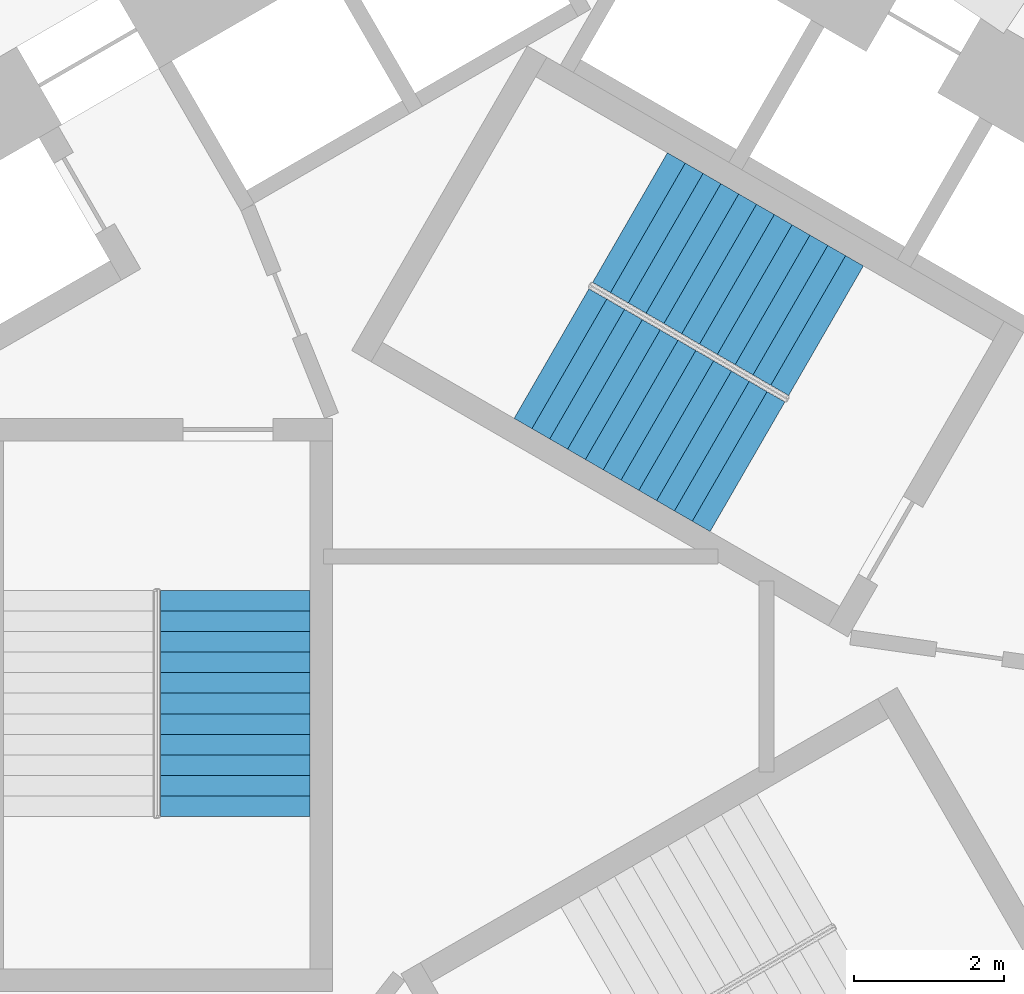
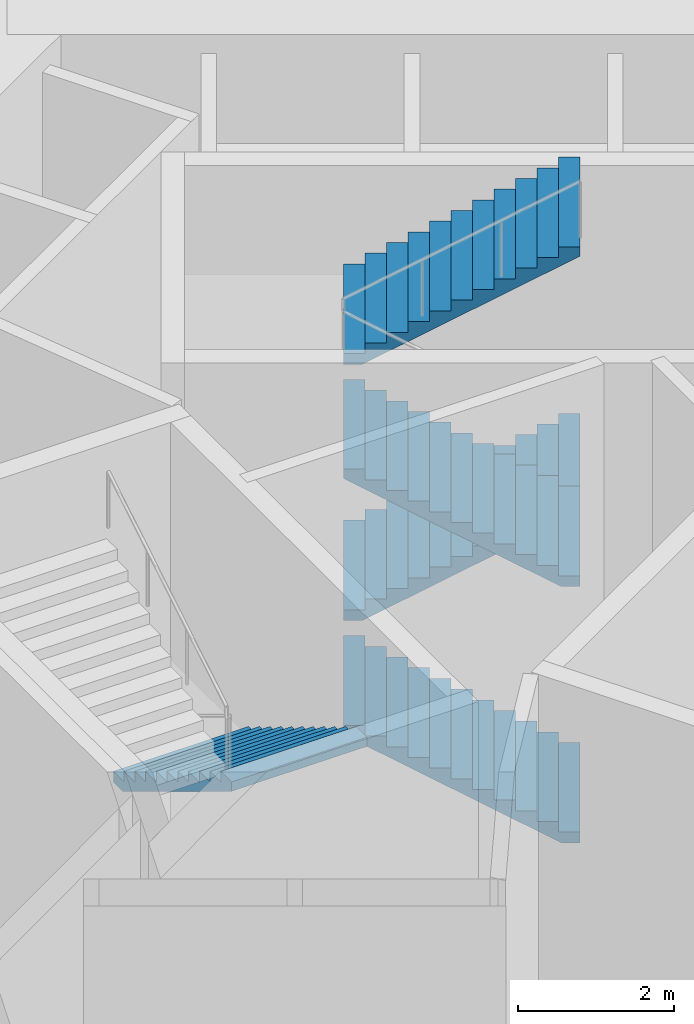
# One storey, part 13 of 15: 5 stair flights, 2 elements without a shape of their own.
"""IFC4 building model written with IfcOpenShell, lengths in metres."""

from ifc_helpers import new_model, si_unit, direction, frame, origin, place, context, subcontext, project, spatial, triangles, source, transform, mapped, material, type_object, element, aggregate, save


model = new_model("IFC4")

# Units and contexts
model_context = context("Model", 3, precision=1e-05, world=origin(), true_north=direction((0.0, 1.0)))
body_context = subcontext(model_context, "Body", "Model", "MODEL_VIEW")
ifc_project = project(units=[si_unit("LENGTHUNIT", "METRE"), si_unit("AREAUNIT", "SQUARE_METRE"), si_unit("VOLUMEUNIT", "CUBIC_METRE"), si_unit("PLANEANGLEUNIT", "RADIAN"), si_unit("MASSUNIT", "GRAM", prefix="KILO")], contexts=[model_context])

# Site, building, storey
site_placement = place(None, origin())
site = spatial("IfcSite", under=ifc_project, at=site_placement, CompositionType="ELEMENT")
building_placement = place(site_placement, origin())
building = spatial("IfcBuilding", under=site, at=building_placement, Name="Vanh Sen Convention Tower", CompositionType="ELEMENT")
storey_placement = place(building_placement, frame((0.0, 0.0, 13.0)))
storey = spatial("IfcBuildingStorey", under=building, at=storey_placement, Name="L02", CompositionType="ELEMENT", Elevation=13.0)

# Stair, stair flights
ifc_material_1 = material(Name="Concrete C50/60", Category="concrete")
stair_type_1 = type_object("IfcStairType", Name="Exit stair ST1 48 risers at 166.7", PredefinedType="HALF_TURN_STAIR", material=ifc_material_1)
stair_1_placement = place(storey_placement, origin())
stair_1 = element("IfcStair", 1, at=stair_1_placement, inside=storey, type_object=stair_type_1, Name="Exit stair ST1 L02", PredefinedType="HALF_TURN_STAIR")
ifc_material_2 = material(Name="Concrete C40/50", Category="concrete")
stair_flight_type = type_object("IfcStairFlightType", Name="Stair flight 2000", PredefinedType="STRAIGHT", material=ifc_material_2)
shared_shape = source(origin(), body_context, "Body", "Tessellation", [
    triangles([(0.2412109375, 1.0, 0.0), (0.0, 1.0, 0.0), (0.0, 1.0, 0.166748046875), (0.27490234375, 1.0, 0.166748046875), (0.27490234375, 1.0, 0.333251953125), (0.550048828125, 1.0, 0.333251953125), (0.550048828125, 1.0, 0.5), (0.824951171875, 1.0, 0.5), (0.824951171875, 1.0, 0.666748046875), (1.10009765625, 1.0, 0.666748046875), (1.10009765625, 1.0, 0.833251953125), (1.375, 1.0, 0.833251953125), (1.375, 1.0, 1.0), (1.64990234375, 1.0, 1.0), (1.64990234375, 1.0, 1.166748046875), (1.925048828125, 1.0, 1.166748046875), (1.925048828125, 1.0, 1.333251953125), (2.199951171875, 1.0, 1.333251953125), (2.199951171875, 1.0, 1.5), (2.47509765625, 1.0, 1.5), (2.47509765625, 1.0, 1.666748046875), (2.75, 1.0, 1.666748046875), (2.75, 1.0, 1.833251953125), (3.02490234375, 1.0, 1.833251953125), (3.02490234375, 1.0, 1.687255859375), (0.2412109375, -1.0, 0.0), (0.0, -1.0, 0.0), (0.0, -1.0, 0.166748046875), (0.27490234375, -1.0, 0.166748046875), (0.27490234375, -1.0, 0.333251953125), (0.550048828125, -1.0, 0.333251953125), (0.550048828125, -1.0, 0.5), (0.824951171875, -1.0, 0.5), (0.824951171875, -1.0, 0.666748046875), (1.10009765625, -1.0, 0.666748046875), (1.10009765625, -1.0, 0.833251953125), (1.375, -1.0, 0.833251953125), (1.375, -1.0, 1.0), (1.64990234375, -1.0, 1.0), (1.64990234375, -1.0, 1.166748046875), (1.925048828125, -1.0, 1.166748046875), (1.925048828125, -1.0, 1.333251953125), (2.199951171875, -1.0, 1.333251953125), (2.199951171875, -1.0, 1.5), (2.47509765625, -1.0, 1.5), (2.47509765625, -1.0, 1.666748046875), (2.75, -1.0, 1.666748046875), (2.75, -1.0, 1.833251953125), (3.02490234375, -1.0, 1.833251953125), (3.02490234375, -1.0, 1.687255859375), (0.0, 0.0400390625, 0.0), (0.0, 0.0390625, 0.0), (0.0, 0.0380859375, 0.0), (0.0, 0.037109375, 0.0), (0.0, 0.035888671875, 0.0), (0.0, 0.034912109375, 0.0), (0.0, 0.033935546875, 0.0), (0.0, 0.032958984375, 0.0), (0.0, 0.031982421875, 0.0), (0.0, 0.031005859375, 0.0), (0.0, 0.030029296875, 0.0), (0.0, 0.029052734375, 0.0), (0.0, 0.028076171875, 0.0), (0.0, 0.027099609375, 0.0), (0.0, 0.02587890625, 0.0), (0.0, 0.02490234375, 0.0), (0.0, 0.02392578125, 0.0), (0.0, 0.02294921875, 0.0), (0.0, 0.02197265625, 0.0), (0.0, 0.02099609375, 0.0), (0.0, 0.02001953125, 0.0), (0.0, 0.01904296875, 0.0), (0.0, 0.01806640625, 0.0), (0.0, 0.01708984375, 0.0), (0.0, 0.01611328125, 0.0), (0.0, 0.014892578125, 0.0), (0.0, 0.013916015625, 0.0), (0.0, 0.012939453125, 0.0), (0.0, 0.011962890625, 0.0), (0.0, 0.010986328125, 0.0), (0.0, 0.010009765625, 0.0), (0.0, 0.009033203125, 0.0), (0.0, 0.008056640625, 0.0), (0.0, 0.007080078125, 0.0), (0.0, 0.006103515625, 0.0), (0.0, 0.0048828125, 0.0), (0.0, 0.00390625, 0.0), (0.0, 0.0029296875, 0.0), (0.0, 0.001953125, 0.0), (0.0, 0.0009765625, 0.0), (0.0, 0.0, 0.0), (0.0, -0.0009765625, 0.0), (0.0, -0.001953125, 0.0), (0.0, -0.0029296875, 0.0), (0.0, -0.00390625, 0.0), (0.0, -0.0048828125, 0.0), (0.0, -0.006103515625, 0.0), (0.0, -0.007080078125, 0.0), (0.0, -0.008056640625, 0.0), (0.0, -0.009033203125, 0.0), (0.0, -0.010009765625, 0.0), (0.0, -0.010986328125, 0.0), (0.0, -0.011962890625, 0.0), (0.0, -0.012939453125, 0.0), (0.0, -0.013916015625, 0.0), (0.0, -0.014892578125, 0.0), (0.0, -0.01611328125, 0.0), (0.0, -0.01708984375, 0.0), (0.0, -0.01806640625, 0.0), (0.0, -0.01904296875, 0.0), (0.0, -0.02001953125, 0.0), (0.0, -0.02099609375, 0.0), (0.0, -0.02197265625, 0.0), (0.0, -0.02294921875, 0.0), (0.0, -0.02392578125, 0.0), (0.0, -0.02490234375, 0.0), (0.0, -0.02587890625, 0.0), (0.0, -0.027099609375, 0.0), (0.0, -0.028076171875, 0.0), (0.0, -0.029052734375, 0.0), (0.0, -0.030029296875, 0.0), (0.0, -0.031005859375, 0.0), (0.0, -0.031982421875, 0.0), (0.0, -0.032958984375, 0.0), (0.0, -0.033935546875, 0.0), (0.0, -0.034912109375, 0.0), (0.0, -0.035888671875, 0.0), (0.0, -0.037109375, 0.0), (0.0, -0.0380859375, 0.0), (0.0, -0.0390625, 0.0), (0.0, -0.0400390625, 0.0), (0.0, 0.0400390625, 0.166748046875), (0.0, 0.0390625, 0.166748046875), (0.0, 0.0380859375, 0.166748046875), (0.0, 0.037109375, 0.166748046875), (0.0, 0.035888671875, 0.166748046875), (0.0, 0.034912109375, 0.166748046875), (0.0, 0.033935546875, 0.166748046875), (0.0, 0.032958984375, 0.166748046875), (0.0, 0.031982421875, 0.166748046875), (0.0, 0.031005859375, 0.166748046875), (0.0, 0.030029296875, 0.166748046875), (0.0, 0.029052734375, 0.166748046875), (0.0, 0.028076171875, 0.166748046875), (0.0, 0.027099609375, 0.166748046875), (0.0, 0.02587890625, 0.166748046875), (0.0, 0.02490234375, 0.166748046875), (0.0, 0.02392578125, 0.166748046875), (0.0, 0.02294921875, 0.166748046875), (0.0, 0.02197265625, 0.166748046875), (0.0, 0.02099609375, 0.166748046875), (0.0, 0.02001953125, 0.166748046875), (0.0, 0.01904296875, 0.166748046875), (0.0, 0.01806640625, 0.166748046875), (0.0, 0.01708984375, 0.166748046875), (0.0, 0.01611328125, 0.166748046875), (0.0, 0.014892578125, 0.166748046875), (0.0, 0.013916015625, 0.166748046875), (0.0, 0.012939453125, 0.166748046875), (0.0, 0.011962890625, 0.166748046875), (0.0, 0.010986328125, 0.166748046875), (0.0, 0.010009765625, 0.166748046875), (0.0, 0.009033203125, 0.166748046875), (0.0, 0.008056640625, 0.166748046875), (0.0, 0.007080078125, 0.166748046875), (0.0, 0.006103515625, 0.166748046875), (0.0, 0.0048828125, 0.166748046875), (0.0, 0.00390625, 0.166748046875), (0.0, 0.0029296875, 0.166748046875), (0.0, 0.001953125, 0.166748046875), (0.0, 0.0009765625, 0.166748046875), (0.0, 0.0, 0.166748046875), (0.0, -0.0009765625, 0.166748046875), (0.0, -0.001953125, 0.166748046875), (0.0, -0.0029296875, 0.166748046875), (0.0, -0.00390625, 0.166748046875), (0.0, -0.0048828125, 0.166748046875), (0.0, -0.006103515625, 0.166748046875), (0.0, -0.007080078125, 0.166748046875), (0.0, -0.008056640625, 0.166748046875), (0.0, -0.009033203125, 0.166748046875), (0.0, -0.010009765625, 0.166748046875), (0.0, -0.010986328125, 0.166748046875), (0.0, -0.011962890625, 0.166748046875), (0.0, -0.012939453125, 0.166748046875), (0.0, -0.013916015625, 0.166748046875), (0.0, -0.014892578125, 0.166748046875), (0.0, -0.01611328125, 0.166748046875), (0.0, -0.01708984375, 0.166748046875), (0.0, -0.01806640625, 0.166748046875), (0.0, -0.01904296875, 0.166748046875), (0.0, -0.02001953125, 0.166748046875), (0.0, -0.02099609375, 0.166748046875), (0.0, -0.02197265625, 0.166748046875), (0.0, -0.02294921875, 0.166748046875), (0.0, -0.02392578125, 0.166748046875), (0.0, -0.02490234375, 0.166748046875), (0.0, -0.02587890625, 0.166748046875), (0.0, -0.027099609375, 0.166748046875), (0.0, -0.028076171875, 0.166748046875), (0.0, -0.029052734375, 0.166748046875), (0.0, -0.030029296875, 0.166748046875), (0.0, -0.031005859375, 0.166748046875), (0.0, -0.031982421875, 0.166748046875), (0.0, -0.032958984375, 0.166748046875), (0.0, -0.033935546875, 0.166748046875), (0.0, -0.034912109375, 0.166748046875), (0.0, -0.035888671875, 0.166748046875), (0.0, -0.037109375, 0.166748046875), (0.0, -0.0380859375, 0.166748046875), (0.0, -0.0390625, 0.166748046875), (0.0, -0.0400390625, 0.166748046875), (0.27490234375, 0.0, 0.166748046875), (0.27490234375, 0.0, 0.333251953125), (0.550048828125, 0.0, 0.333251953125), (0.550048828125, 0.0, 0.5), (0.824951171875, 0.0, 0.5), (0.824951171875, 0.0, 0.666748046875), (1.10009765625, 0.0, 0.666748046875), (1.10009765625, 0.0, 0.833251953125), (1.375, 0.0, 0.833251953125), (1.375, 0.0, 1.0), (1.64990234375, 0.0, 1.0), (1.64990234375, 0.0, 1.166748046875), (1.925048828125, 0.0, 1.166748046875), (1.925048828125, 0.0, 1.333251953125), (2.199951171875, 0.0, 1.333251953125), (2.199951171875, 0.0, 1.5), (2.47509765625, 0.0, 1.5), (2.47509765625, 0.0, 1.666748046875), (2.75, 0.0, 1.666748046875), (2.75, 0.0, 1.833251953125), (3.02490234375, 0.0400390625, 1.833251953125), (3.02490234375, 0.0390625, 1.833251953125), (3.02490234375, 0.0380859375, 1.833251953125), (3.02490234375, 0.037109375, 1.833251953125), (3.02490234375, 0.035888671875, 1.833251953125), (3.02490234375, 0.034912109375, 1.833251953125), (3.02490234375, 0.033935546875, 1.833251953125), (3.02490234375, 0.032958984375, 1.833251953125), (3.02490234375, 0.031982421875, 1.833251953125), (3.02490234375, 0.031005859375, 1.833251953125), (3.02490234375, 0.030029296875, 1.833251953125), (3.02490234375, 0.029052734375, 1.833251953125), (3.02490234375, 0.028076171875, 1.833251953125), (3.02490234375, 0.027099609375, 1.833251953125), (3.02490234375, 0.02587890625, 1.833251953125), (3.02490234375, 0.02490234375, 1.833251953125), (3.02490234375, 0.02392578125, 1.833251953125), (3.02490234375, 0.02294921875, 1.833251953125), (3.02490234375, 0.02197265625, 1.833251953125), (3.02490234375, 0.02099609375, 1.833251953125), (3.02490234375, 0.02001953125, 1.833251953125), (3.02490234375, 0.01904296875, 1.833251953125), (3.02490234375, 0.01806640625, 1.833251953125), (3.02490234375, 0.01708984375, 1.833251953125), (3.02490234375, 0.01611328125, 1.833251953125), (3.02490234375, 0.014892578125, 1.833251953125), (3.02490234375, 0.013916015625, 1.833251953125), (3.02490234375, 0.012939453125, 1.833251953125), (3.02490234375, 0.011962890625, 1.833251953125), (3.02490234375, 0.010986328125, 1.833251953125), (3.02490234375, 0.010009765625, 1.833251953125), (3.02490234375, 0.009033203125, 1.833251953125), (3.02490234375, 0.008056640625, 1.833251953125), (3.02490234375, 0.007080078125, 1.833251953125), (3.02490234375, 0.006103515625, 1.833251953125), (3.02490234375, 0.0048828125, 1.833251953125), (3.02490234375, 0.00390625, 1.833251953125), (3.02490234375, 0.0029296875, 1.833251953125), (3.02490234375, 0.001953125, 1.833251953125), (3.02490234375, 0.0009765625, 1.833251953125), (3.02490234375, 0.0, 1.833251953125), (3.02490234375, -0.0009765625, 1.833251953125), (3.02490234375, -0.001953125, 1.833251953125), (3.02490234375, -0.0029296875, 1.833251953125), (3.02490234375, -0.00390625, 1.833251953125), (3.02490234375, -0.0048828125, 1.833251953125), (3.02490234375, -0.006103515625, 1.833251953125), (3.02490234375, -0.007080078125, 1.833251953125), (3.02490234375, -0.008056640625, 1.833251953125), (3.02490234375, -0.009033203125, 1.833251953125), (3.02490234375, -0.010009765625, 1.833251953125), (3.02490234375, -0.010986328125, 1.833251953125), (3.02490234375, -0.011962890625, 1.833251953125), (3.02490234375, -0.012939453125, 1.833251953125), (3.02490234375, -0.013916015625, 1.833251953125), (3.02490234375, -0.014892578125, 1.833251953125), (3.02490234375, -0.01611328125, 1.833251953125), (3.02490234375, -0.01708984375, 1.833251953125), (3.02490234375, -0.01806640625, 1.833251953125), (3.02490234375, -0.01904296875, 1.833251953125), (3.02490234375, -0.02001953125, 1.833251953125), (3.02490234375, -0.02099609375, 1.833251953125), (3.02490234375, -0.02197265625, 1.833251953125), (3.02490234375, -0.02294921875, 1.833251953125), (3.02490234375, -0.02392578125, 1.833251953125), (3.02490234375, -0.02490234375, 1.833251953125), (3.02490234375, -0.02587890625, 1.833251953125), (3.02490234375, -0.027099609375, 1.833251953125), (3.02490234375, -0.028076171875, 1.833251953125), (3.02490234375, -0.029052734375, 1.833251953125), (3.02490234375, -0.030029296875, 1.833251953125), (3.02490234375, -0.031005859375, 1.833251953125), (3.02490234375, -0.031982421875, 1.833251953125), (3.02490234375, -0.032958984375, 1.833251953125), (3.02490234375, -0.033935546875, 1.833251953125), (3.02490234375, -0.034912109375, 1.833251953125), (3.02490234375, -0.035888671875, 1.833251953125), (3.02490234375, -0.037109375, 1.833251953125), (3.02490234375, -0.0380859375, 1.833251953125), (3.02490234375, -0.0390625, 1.833251953125), (3.02490234375, -0.0400390625, 1.833251953125), (3.02490234375, 0.0400390625, 1.687255859375), (3.02490234375, 0.0390625, 1.687255859375), (3.02490234375, 0.0380859375, 1.687255859375), (3.02490234375, 0.037109375, 1.687255859375), (3.02490234375, 0.035888671875, 1.687255859375), (3.02490234375, 0.034912109375, 1.687255859375), (3.02490234375, 0.033935546875, 1.687255859375), (3.02490234375, 0.032958984375, 1.687255859375), (3.02490234375, 0.031982421875, 1.687255859375), (3.02490234375, 0.031005859375, 1.687255859375), (3.02490234375, 0.030029296875, 1.687255859375), (3.02490234375, 0.029052734375, 1.687255859375), (3.02490234375, 0.028076171875, 1.687255859375), (3.02490234375, 0.027099609375, 1.687255859375), (3.02490234375, 0.02587890625, 1.687255859375), (3.02490234375, 0.02490234375, 1.687255859375), (3.02490234375, 0.02392578125, 1.687255859375), (3.02490234375, 0.02294921875, 1.687255859375), (3.02490234375, 0.02197265625, 1.687255859375), (3.02490234375, 0.02099609375, 1.687255859375), (3.02490234375, 0.02001953125, 1.687255859375), (3.02490234375, 0.01904296875, 1.687255859375), (3.02490234375, 0.01806640625, 1.687255859375), (3.02490234375, 0.01708984375, 1.687255859375), (3.02490234375, 0.01611328125, 1.687255859375), (3.02490234375, 0.014892578125, 1.687255859375), (3.02490234375, 0.013916015625, 1.687255859375), (3.02490234375, 0.012939453125, 1.687255859375), (3.02490234375, 0.011962890625, 1.687255859375), (3.02490234375, 0.010986328125, 1.687255859375), (3.02490234375, 0.010009765625, 1.687255859375), (3.02490234375, 0.009033203125, 1.687255859375), (3.02490234375, 0.008056640625, 1.687255859375), (3.02490234375, 0.007080078125, 1.687255859375), (3.02490234375, 0.006103515625, 1.687255859375), (3.02490234375, 0.0048828125, 1.687255859375), (3.02490234375, 0.00390625, 1.687255859375), (3.02490234375, 0.0029296875, 1.687255859375), (3.02490234375, 0.001953125, 1.687255859375), (3.02490234375, 0.0009765625, 1.687255859375), (3.02490234375, 0.0, 1.687255859375), (3.02490234375, -0.0009765625, 1.687255859375), (3.02490234375, -0.001953125, 1.687255859375), (3.02490234375, -0.0029296875, 1.687255859375), (3.02490234375, -0.00390625, 1.687255859375), (3.02490234375, -0.0048828125, 1.687255859375), (3.02490234375, -0.006103515625, 1.687255859375), (3.02490234375, -0.007080078125, 1.687255859375), (3.02490234375, -0.008056640625, 1.687255859375), (3.02490234375, -0.009033203125, 1.687255859375), (3.02490234375, -0.010009765625, 1.687255859375), (3.02490234375, -0.010986328125, 1.687255859375), (3.02490234375, -0.011962890625, 1.687255859375), (3.02490234375, -0.012939453125, 1.687255859375), (3.02490234375, -0.013916015625, 1.687255859375), (3.02490234375, -0.014892578125, 1.687255859375), (3.02490234375, -0.01611328125, 1.687255859375), (3.02490234375, -0.01708984375, 1.687255859375), (3.02490234375, -0.01806640625, 1.687255859375), (3.02490234375, -0.01904296875, 1.687255859375), (3.02490234375, -0.02001953125, 1.687255859375), (3.02490234375, -0.02099609375, 1.687255859375), (3.02490234375, -0.02197265625, 1.687255859375), (3.02490234375, -0.02294921875, 1.687255859375), (3.02490234375, -0.02392578125, 1.687255859375), (3.02490234375, -0.02490234375, 1.687255859375), (3.02490234375, -0.02587890625, 1.687255859375), (3.02490234375, -0.027099609375, 1.687255859375), (3.02490234375, -0.028076171875, 1.687255859375), (3.02490234375, -0.029052734375, 1.687255859375), (3.02490234375, -0.030029296875, 1.687255859375), (3.02490234375, -0.031005859375, 1.687255859375), (3.02490234375, -0.031982421875, 1.687255859375), (3.02490234375, -0.032958984375, 1.687255859375), (3.02490234375, -0.033935546875, 1.687255859375), (3.02490234375, -0.034912109375, 1.687255859375), (3.02490234375, -0.035888671875, 1.687255859375), (3.02490234375, -0.037109375, 1.687255859375), (3.02490234375, -0.0380859375, 1.687255859375), (3.02490234375, -0.0390625, 1.687255859375), (3.02490234375, -0.0400390625, 1.687255859375), (0.2412109375, 0.0, 0.0)], [[1, 2, 3], [1, 3, 4], [4, 5, 6], [1, 4, 6], [6, 7, 8], [1, 6, 8], [8, 9, 10], [1, 8, 10], [10, 11, 12], [1, 10, 12], [12, 13, 14], [1, 12, 14], [14, 15, 16], [1, 14, 16], [16, 17, 18], [1, 16, 18], [18, 19, 20], [1, 18, 20], [20, 21, 22], [1, 20, 22], [22, 23, 24], [1, 22, 24], [24, 25, 1], [26, 28, 27], [26, 29, 28], [29, 31, 30], [26, 31, 29], [31, 33, 32], [26, 33, 31], [33, 35, 34], [26, 35, 33], [35, 37, 36], [26, 37, 35], [37, 39, 38], [26, 39, 37], [39, 41, 40], [26, 41, 39], [41, 43, 42], [26, 43, 41], [43, 45, 44], [26, 45, 43], [45, 47, 46], [26, 47, 45], [47, 49, 48], [26, 49, 47], [49, 26, 50], [2, 132, 3], [2, 51, 132], [51, 133, 132], [51, 52, 133], [52, 134, 133], [52, 53, 134], [53, 135, 134], [53, 54, 135], [54, 136, 135], [54, 55, 136], [55, 137, 136], [55, 56, 137], [56, 138, 137], [56, 57, 138], [57, 139, 138], [57, 58, 139], [58, 140, 139], [58, 59, 140], [59, 141, 140], [59, 60, 141], [60, 142, 141], [60, 61, 142], [61, 143, 142], [61, 62, 143], [62, 144, 143], [62, 63, 144], [63, 145, 144], [63, 64, 145], [64, 146, 145], [64, 65, 146], [65, 147, 146], [65, 66, 147], [66, 148, 147], [66, 67, 148], [67, 149, 148], [67, 68, 149], [68, 150, 149], [68, 69, 150], [69, 151, 150], [69, 70, 151], [70, 152, 151], [70, 71, 152], [71, 153, 152], [71, 72, 153], [72, 154, 153], [72, 73, 154], [73, 155, 154], [73, 74, 155], [74, 156, 155], [74, 75, 156], [75, 157, 156], [75, 76, 157], [76, 158, 157], [76, 77, 158], [77, 159, 158], [77, 78, 159], [78, 160, 159], [78, 79, 160], [79, 161, 160], [79, 80, 161], [80, 162, 161], [80, 81, 162], [81, 163, 162], [81, 82, 163], [82, 164, 163], [82, 83, 164], [83, 165, 164], [83, 84, 165], [84, 166, 165], [84, 85, 166], [85, 167, 166], [85, 86, 167], [86, 168, 167], [86, 87, 168], [87, 169, 168], [87, 88, 169], [88, 170, 169], [88, 89, 170], [89, 171, 170], [89, 90, 171], [90, 172, 171], [90, 91, 172], [91, 92, 172], [172, 92, 173], [92, 93, 173], [173, 93, 174], [93, 94, 174], [174, 94, 175], [94, 95, 175], [175, 95, 176], [95, 96, 176], [176, 96, 177], [96, 97, 177], [177, 97, 178], [97, 98, 178], [178, 98, 179], [98, 99, 179], [179, 99, 180], [99, 100, 180], [180, 100, 181], [100, 101, 181], [181, 101, 182], [101, 102, 182], [182, 102, 183], [102, 103, 183], [183, 103, 184], [103, 104, 184], [184, 104, 185], [104, 105, 185], [185, 105, 186], [105, 106, 186], [186, 106, 187], [106, 107, 187], [187, 107, 188], [107, 108, 188], [188, 108, 189], [108, 109, 189], [189, 109, 190], [109, 110, 190], [190, 110, 191], [110, 111, 191], [191, 111, 192], [111, 112, 192], [192, 112, 193], [112, 113, 193], [193, 113, 194], [113, 114, 194], [194, 114, 195], [114, 115, 195], [195, 115, 196], [115, 116, 196], [196, 116, 197], [116, 117, 197], [197, 117, 198], [117, 118, 198], [198, 118, 199], [118, 119, 199], [199, 119, 200], [119, 120, 200], [200, 120, 201], [120, 121, 201], [201, 121, 202], [121, 122, 202], [202, 122, 203], [122, 123, 203], [203, 123, 204], [123, 124, 204], [204, 124, 205], [124, 125, 205], [205, 125, 206], [125, 126, 206], [206, 126, 207], [126, 127, 207], [207, 127, 208], [127, 128, 208], [208, 128, 209], [128, 129, 209], [209, 129, 210], [129, 130, 210], [210, 130, 211], [130, 131, 211], [211, 131, 212], [131, 27, 212], [212, 27, 28], [4, 3, 132], [4, 132, 133], [4, 133, 134], [4, 134, 135], [4, 135, 136], [4, 136, 137], [4, 137, 138], [4, 138, 139], [4, 139, 140], [4, 140, 141], [4, 141, 142], [4, 142, 143], [4, 143, 144], [4, 144, 145], [4, 145, 146], [4, 146, 147], [4, 147, 148], [4, 148, 149], [4, 149, 150], [4, 150, 151], [4, 151, 152], [4, 152, 153], [4, 153, 154], [4, 154, 155], [4, 155, 156], [4, 156, 157], [4, 157, 158], [4, 158, 159], [4, 159, 160], [4, 160, 161], [4, 161, 162], [4, 162, 163], [4, 163, 164], [4, 164, 165], [4, 165, 166], [4, 166, 167], [4, 167, 168], [4, 168, 169], [4, 169, 170], [4, 170, 171], [4, 171, 172], [29, 172, 173], [29, 173, 174], [29, 174, 175], [29, 175, 176], [29, 176, 177], [29, 177, 178], [29, 178, 179], [29, 179, 180], [29, 180, 181], [29, 181, 182], [29, 182, 183], [29, 183, 184], [29, 184, 185], [29, 185, 186], [29, 186, 187], [29, 187, 188], [29, 188, 189], [29, 189, 190], [29, 190, 191], [29, 191, 192], [29, 192, 193], [29, 193, 194], [29, 194, 195], [29, 195, 196], [29, 196, 197], [29, 197, 198], [29, 198, 199], [29, 199, 200], [29, 200, 201], [29, 201, 202], [29, 202, 203], [29, 203, 204], [29, 204, 205], [29, 205, 206], [29, 206, 207], [29, 207, 208], [29, 208, 209], [29, 209, 210], [29, 210, 211], [29, 211, 212], [29, 212, 28], [4, 172, 213], [29, 213, 172], [4, 214, 5], [4, 213, 214], [213, 29, 214], [214, 29, 30], [5, 215, 6], [5, 214, 215], [214, 30, 215], [215, 30, 31], [6, 216, 7], [6, 215, 216], [215, 31, 216], [216, 31, 32], [7, 217, 8], [7, 216, 217], [216, 32, 217], [217, 32, 33], [8, 218, 9], [8, 217, 218], [217, 33, 218], [218, 33, 34], [9, 219, 10], [9, 218, 219], [218, 34, 219], [219, 34, 35], [10, 220, 11], [10, 219, 220], [219, 35, 220], [220, 35, 36], [11, 221, 12], [11, 220, 221], [220, 36, 221], [221, 36, 37], [12, 222, 13], [12, 221, 222], [221, 37, 222], [222, 37, 38], [13, 223, 14], [13, 222, 223], [222, 38, 223], [223, 38, 39], [14, 224, 15], [14, 223, 224], [223, 39, 224], [224, 39, 40], [15, 225, 16], [15, 224, 225], [224, 40, 225], [225, 40, 41], [16, 226, 17], [16, 225, 226], [225, 41, 226], [226, 41, 42], [17, 227, 18], [17, 226, 227], [226, 42, 227], [227, 42, 43], [18, 228, 19], [18, 227, 228], [227, 43, 228], [228, 43, 44], [19, 229, 20], [19, 228, 229], [228, 44, 229], [229, 44, 45], [20, 230, 21], [20, 229, 230], [229, 45, 230], [230, 45, 46], [21, 231, 22], [21, 230, 231], [230, 46, 231], [231, 46, 47], [22, 232, 23], [22, 231, 232], [231, 47, 232], [232, 47, 48], [23, 233, 24], [23, 234, 233], [23, 235, 234], [23, 236, 235], [23, 237, 236], [23, 238, 237], [23, 239, 238], [23, 240, 239], [23, 241, 240], [23, 242, 241], [23, 243, 242], [23, 244, 243], [23, 245, 244], [23, 246, 245], [23, 247, 246], [23, 248, 247], [23, 249, 248], [23, 250, 249], [23, 251, 250], [23, 252, 251], [23, 253, 252], [23, 254, 253], [23, 255, 254], [23, 256, 255], [23, 257, 256], [23, 258, 257], [23, 259, 258], [23, 260, 259], [23, 261, 260], [23, 262, 261], [23, 263, 262], [23, 264, 263], [23, 265, 264], [23, 266, 265], [23, 267, 266], [23, 268, 267], [23, 269, 268], [23, 270, 269], [23, 271, 270], [23, 272, 271], [23, 273, 272], [48, 274, 273], [48, 275, 274], [48, 276, 275], [48, 277, 276], [48, 278, 277], [48, 279, 278], [48, 280, 279], [48, 281, 280], [48, 282, 281], [48, 283, 282], [48, 284, 283], [48, 285, 284], [48, 286, 285], [48, 287, 286], [48, 288, 287], [48, 289, 288], [48, 290, 289], [48, 291, 290], [48, 292, 291], [48, 293, 292], [48, 294, 293], [48, 295, 294], [48, 296, 295], [48, 297, 296], [48, 298, 297], [48, 299, 298], [48, 300, 299], [48, 301, 300], [48, 302, 301], [48, 303, 302], [48, 304, 303], [48, 305, 304], [48, 306, 305], [48, 307, 306], [48, 308, 307], [48, 309, 308], [48, 310, 309], [48, 311, 310], [48, 312, 311], [48, 313, 312], [48, 49, 313], [23, 232, 273], [48, 273, 232], [24, 314, 25], [24, 233, 314], [233, 315, 314], [233, 234, 315], [234, 316, 315], [234, 235, 316], [235, 317, 316], [235, 236, 317], [236, 318, 317], [236, 237, 318], [237, 319, 318], [237, 238, 319], [238, 320, 319], [238, 239, 320], [239, 321, 320], [239, 240, 321], [240, 322, 321], [240, 241, 322], [241, 323, 322], [241, 242, 323], [242, 324, 323], [242, 243, 324], [243, 325, 324], [243, 244, 325], [244, 326, 325], [244, 245, 326], [245, 327, 326], [245, 246, 327], [246, 328, 327], [246, 247, 328], [247, 329, 328], [247, 248, 329], [248, 330, 329], [248, 249, 330], [249, 331, 330], [249, 250, 331], [250, 332, 331], [250, 251, 332], [251, 333, 332], [251, 252, 333], [252, 334, 333], [252, 253, 334], [253, 335, 334], [253, 254, 335], [254, 336, 335], [254, 255, 336], [255, 337, 336], [255, 256, 337], [256, 338, 337], [256, 257, 338], [257, 339, 338], [257, 258, 339], [258, 340, 339], [258, 259, 340], [259, 341, 340], [259, 260, 341], [260, 342, 341], [260, 261, 342], [261, 343, 342], [261, 262, 343], [262, 344, 343], [262, 263, 344], [263, 345, 344], [263, 264, 345], [264, 346, 345], [264, 265, 346], [265, 347, 346], [265, 266, 347], [266, 348, 347], [266, 267, 348], [267, 349, 348], [267, 268, 349], [268, 350, 349], [268, 269, 350], [269, 351, 350], [269, 270, 351], [270, 352, 351], [270, 271, 352], [271, 353, 352], [271, 272, 353], [272, 354, 353], [272, 273, 354], [273, 274, 354], [354, 274, 355], [274, 275, 355], [355, 275, 356], [275, 276, 356], [356, 276, 357], [276, 277, 357], [357, 277, 358], [277, 278, 358], [358, 278, 359], [278, 279, 359], [359, 279, 360], [279, 280, 360], [360, 280, 361], [280, 281, 361], [361, 281, 362], [281, 282, 362], [362, 282, 363], [282, 283, 363], [363, 283, 364], [283, 284, 364], [364, 284, 365], [284, 285, 365], [365, 285, 366], [285, 286, 366], [366, 286, 367], [286, 287, 367], [367, 287, 368], [287, 288, 368], [368, 288, 369], [288, 289, 369], [369, 289, 370], [289, 290, 370], [370, 290, 371], [290, 291, 371], [371, 291, 372], [291, 292, 372], [372, 292, 373], [292, 293, 373], [373, 293, 374], [293, 294, 374], [374, 294, 375], [294, 295, 375], [375, 295, 376], [295, 296, 376], [376, 296, 377], [296, 297, 377], [377, 297, 378], [297, 298, 378], [378, 298, 379], [298, 299, 379], [379, 299, 380], [299, 300, 380], [380, 300, 381], [300, 301, 381], [381, 301, 382], [301, 302, 382], [382, 302, 383], [302, 303, 383], [383, 303, 384], [303, 304, 384], [384, 304, 385], [304, 305, 385], [385, 305, 386], [305, 306, 386], [386, 306, 387], [306, 307, 387], [387, 307, 388], [307, 308, 388], [388, 308, 389], [308, 309, 389], [389, 309, 390], [309, 310, 390], [390, 310, 391], [310, 311, 391], [391, 311, 392], [311, 312, 392], [392, 312, 393], [312, 313, 393], [393, 313, 394], [313, 49, 394], [394, 49, 50], [1, 25, 314], [1, 314, 315], [1, 315, 316], [1, 316, 317], [1, 317, 318], [1, 318, 319], [1, 319, 320], [1, 320, 321], [1, 321, 322], [1, 322, 323], [1, 323, 324], [1, 324, 325], [1, 325, 326], [1, 326, 327], [1, 327, 328], [1, 328, 329], [1, 329, 330], [1, 330, 331], [1, 331, 332], [1, 332, 333], [1, 333, 334], [1, 334, 335], [1, 335, 336], [1, 336, 337], [1, 337, 338], [1, 338, 339], [1, 339, 340], [1, 340, 341], [1, 341, 342], [1, 342, 343], [1, 343, 344], [1, 344, 345], [1, 345, 346], [1, 346, 347], [1, 347, 348], [1, 348, 349], [1, 349, 350], [1, 350, 351], [1, 351, 352], [1, 352, 353], [1, 353, 354], [26, 354, 355], [26, 355, 356], [26, 356, 357], [26, 357, 358], [26, 358, 359], [26, 359, 360], [26, 360, 361], [26, 361, 362], [26, 362, 363], [26, 363, 364], [26, 364, 365], [26, 365, 366], [26, 366, 367], [26, 367, 368], [26, 368, 369], [26, 369, 370], [26, 370, 371], [26, 371, 372], [26, 372, 373], [26, 373, 374], [26, 374, 375], [26, 375, 376], [26, 376, 377], [26, 377, 378], [26, 378, 379], [26, 379, 380], [26, 380, 381], [26, 381, 382], [26, 382, 383], [26, 383, 384], [26, 384, 385], [26, 385, 386], [26, 386, 387], [26, 387, 388], [26, 388, 389], [26, 389, 390], [26, 390, 391], [26, 391, 392], [26, 392, 393], [26, 393, 394], [26, 394, 50], [1, 354, 395], [26, 395, 354], [1, 51, 2], [1, 52, 51], [1, 53, 52], [1, 54, 53], [1, 55, 54], [1, 56, 55], [1, 57, 56], [1, 58, 57], [1, 59, 58], [1, 60, 59], [1, 61, 60], [1, 62, 61], [1, 63, 62], [1, 64, 63], [1, 65, 64], [1, 66, 65], [1, 67, 66], [1, 68, 67], [1, 69, 68], [1, 70, 69], [1, 71, 70], [1, 72, 71], [1, 73, 72], [1, 74, 73], [1, 75, 74], [1, 76, 75], [1, 77, 76], [1, 78, 77], [1, 79, 78], [1, 80, 79], [1, 81, 80], [1, 82, 81], [1, 83, 82], [1, 84, 83], [1, 85, 84], [1, 86, 85], [1, 87, 86], [1, 88, 87], [1, 89, 88], [1, 90, 89], [1, 91, 90], [26, 92, 91], [26, 93, 92], [26, 94, 93], [26, 95, 94], [26, 96, 95], [26, 97, 96], [26, 98, 97], [26, 99, 98], [26, 100, 99], [26, 101, 100], [26, 102, 101], [26, 103, 102], [26, 104, 103], [26, 105, 104], [26, 106, 105], [26, 107, 106], [26, 108, 107], [26, 109, 108], [26, 110, 109], [26, 111, 110], [26, 112, 111], [26, 113, 112], [26, 114, 113], [26, 115, 114], [26, 116, 115], [26, 117, 116], [26, 118, 117], [26, 119, 118], [26, 120, 119], [26, 121, 120], [26, 122, 121], [26, 123, 122], [26, 124, 123], [26, 125, 124], [26, 126, 125], [26, 127, 126], [26, 128, 127], [26, 129, 128], [26, 130, 129], [26, 131, 130], [26, 27, 131], [1, 395, 91], [26, 91, 395]], closed=True),
])
stair_flight_1_placement = place(storey_placement, frame((2.94580078125, 2.802490234375, 0.0), z_axis=(0.0, 0.0, 1.0), x_axis=(-0.866025403784, 0.5, 0.0)))
stair_flight_1 = element("IfcStairFlight", 2, at=stair_flight_1_placement, type_object=stair_flight_type, Name="ST1 flight 1", NumberOfRisers=12, NumberOfTreads=11, PredefinedType="STRAIGHT", RiserHeight=0.166666667, TreadLength=0.275, context=body_context, shape_type="MappedRepresentation", body=[
    mapped(shared_shape, transform((0.0, 0.0, 0.0))),
])
stair_flight_2_placement = place(storey_placement, frame((1.376220703125, 6.1337890625, 2.0), z_axis=(0.0, 0.0, 1.0), x_axis=(0.866025403784, -0.5, 0.0)))
stair_flight_2 = element("IfcStairFlight", 3, at=stair_flight_2_placement, type_object=stair_flight_type, Name="ST1 flight 2", NumberOfRisers=12, NumberOfTreads=11, PredefinedType="STRAIGHT", RiserHeight=0.166666667, TreadLength=0.275, context=body_context, shape_type="MappedRepresentation", body=[
    mapped(shared_shape, transform((0.0, 0.0, 0.0))),
])
stair_flight_3_placement = place(storey_placement, frame((2.94580078125, 2.802490234375, 4.0), z_axis=(0.0, 0.0, 1.0), x_axis=(-0.866025403784, 0.5, 0.0)))
stair_flight_3 = element("IfcStairFlight", 4, at=stair_flight_3_placement, type_object=stair_flight_type, Name="ST1 flight 3", NumberOfRisers=12, NumberOfTreads=11, PredefinedType="STRAIGHT", RiserHeight=0.166666667, TreadLength=0.275, context=body_context, shape_type="MappedRepresentation", body=[
    mapped(shared_shape, transform((0.0, 0.0, 0.0))),
])
stair_flight_4_placement = place(storey_placement, frame((1.376220703125, 6.1337890625, 6.0), z_axis=(0.0, 0.0, 1.0), x_axis=(0.866025403784, -0.5, 0.0)))
stair_flight_4 = element("IfcStairFlight", 5, at=stair_flight_4_placement, type_object=stair_flight_type, Name="ST1 flight 4", NumberOfRisers=12, NumberOfTreads=11, PredefinedType="STRAIGHT", RiserHeight=0.166666667, TreadLength=0.275, context=body_context, shape_type="MappedRepresentation", body=[
    mapped(shared_shape, transform((0.0, 0.0, 0.0))),
])
aggregate(stair_1, [stair_flight_1, stair_flight_2, stair_flight_3, stair_flight_4])

# Stair, stair flight
stair_type_2 = type_object("IfcStairType", Name="Exit stair ST2 48 risers at 166.7", PredefinedType="HALF_TURN_STAIR", material=ifc_material_1)
stair_2_placement = place(storey_placement, origin())
stair_2 = element("IfcStair", 6, at=stair_2_placement, inside=storey, type_object=stair_type_2, Name="Exit stair ST2 L02", PredefinedType="HALF_TURN_STAIR")
stair_flight_5_placement = place(storey_placement, frame((-3.89990234375, 1.14990234375, 4.0), z_axis=(0.0, 0.0, 1.0), x_axis=(0.0, -1.0, 0.0)))
stair_flight_5 = element("IfcStairFlight", 7, at=stair_flight_5_placement, type_object=stair_flight_type, Name="ST2 flight 3", NumberOfRisers=12, NumberOfTreads=11, PredefinedType="STRAIGHT", RiserHeight=0.166666667, TreadLength=0.275, context=body_context, shape_type="MappedRepresentation", body=[
    mapped(shared_shape, transform((0.0, 0.0, 0.0))),
])
aggregate(stair_2, [stair_flight_5])

save(model, "model.ifc")
